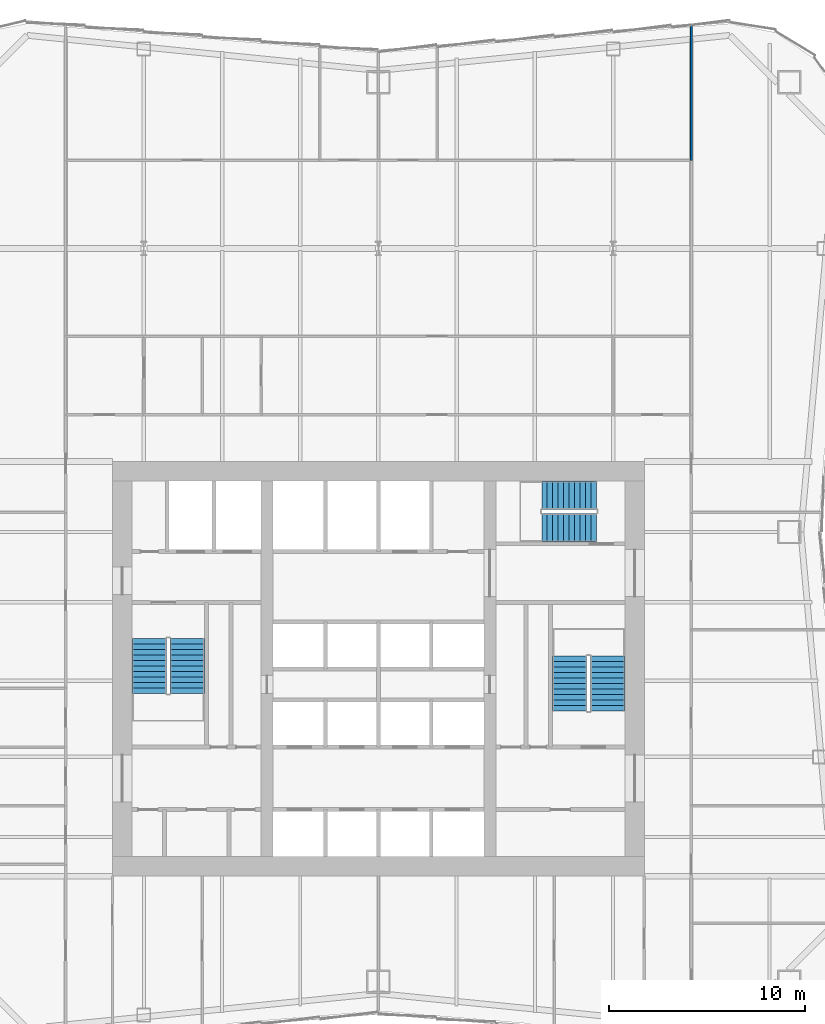
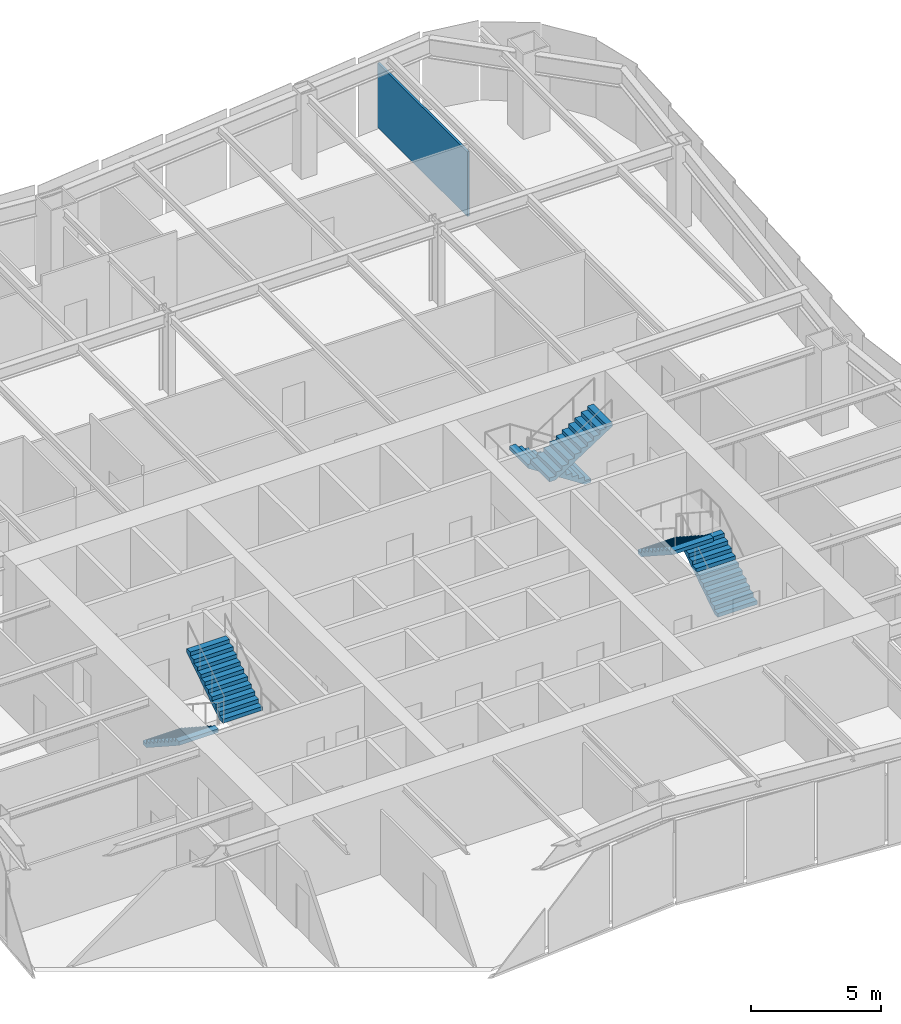
# One storey, part 7 of 8: 6 stair flights, 1 wall, 3 elements without a shape of their own.
"""IFC4 building model written with IfcOpenShell, lengths in metres."""

from ifc_helpers import new_model, si_unit, direction, frame, frame_2d, origin, place, context, subcontext, project, spatial, polyline, rectangle, outline, extrude, material, layer, layer_set, type_object, element, aggregate, save


model = new_model("IFC4")

# Units and contexts
model_context = context("Model", 3, precision=1e-05, world=origin(), true_north=direction((0.0, 1.0)))
body_context = subcontext(model_context, "Body", "Model", "MODEL_VIEW")
ifc_project = project(units=[si_unit("LENGTHUNIT", "METRE"), si_unit("AREAUNIT", "SQUARE_METRE"), si_unit("VOLUMEUNIT", "CUBIC_METRE"), si_unit("PLANEANGLEUNIT", "RADIAN"), si_unit("MASSUNIT", "GRAM", prefix="KILO")], contexts=[model_context])

# Site, building, storey
site_placement = place(None, origin())
site = spatial("IfcSite", under=ifc_project, at=site_placement, CompositionType="ELEMENT")
building_placement = place(site_placement, origin())
building = spatial("IfcBuilding", under=site, at=building_placement, Name="Verdant Reach Tower", CompositionType="ELEMENT")
storey_placement = place(building_placement, frame((0.0, 0.0, 134.0)))
storey = spatial("IfcBuildingStorey", under=building, at=storey_placement, Name="L30", CompositionType="ELEMENT", Elevation=134.0)

# Wall
ifc_material_1 = material(Name="Gypsum board on steel studs", Category="steel")
ifc_layer = layer(ifc_material_1, 0.10009765625)
ifc_layer_set = layer_set([ifc_layer], Name="FL-W1 Partition 100")
wall_type = type_object("IfcWallType", Name="FL-W1 Partition 100", PredefinedType="PARTITIONING", material=ifc_layer_set)
wall_placement = place(storey_placement, frame((16.0, 60.913330078125, 0.0), z_axis=(0.0, 0.0, 1.0), x_axis=(0.0, -1.0, 0.0)))
element("IfcWall", 1, at=wall_placement, inside=storey, type_object=wall_type, Name="Partition 30.33", PredefinedType="PARTITIONING", context=body_context, shape_type="SweptSolid", body=[
    extrude(rectangle(XDim=6.913330078125, YDim=0.10009765625, at=frame_2d((3.45654296875, 0.0))), origin(), (0.0, 0.0, 1.0), 3.0400390625),
])

# Stair, stair flights
ifc_material_2 = material(Name="Concrete C40/50", Category="concrete")
stair_type = type_object("IfcStairType", Name="CO-STAIR", PredefinedType="HALF_TURN_STAIR", material=ifc_material_2)
stair_1_placement = place(storey_placement, origin())
stair_1 = element("IfcStair", 2, at=stair_1_placement, inside=storey, type_object=stair_type, Name="L30 Exit stair 1", PredefinedType="HALF_TURN_STAIR")
stair_flight_type = type_object("IfcStairFlightType", Name="CO-STAIR-FLIGHT", PredefinedType="STRAIGHT", material=ifc_material_2)
stair_flight_1_placement = place(storey_placement, frame((-11.72509765625, 29.550048828125, 0.0), z_axis=(0.0, 0.0, 1.0), x_axis=(0.0, -1.0, 0.0)))
stair_flight_1 = element("IfcStairFlight", 3, at=stair_flight_1_placement, type_object=stair_flight_type, Name="ST-1 flight 1", NumberOfRisers=11, NumberOfTreads=10, PredefinedType="STRAIGHT", RiserHeight=0.181818182, TreadLength=0.28, context=body_context, shape_type="SweptSolid", body=[
    extrude(outline(polyline([(0.0, 0.0), (0.0, 0.181884765625), (0.280029296875, 0.181884765625), (0.280029296875, 0.363525390625), (0.56005859375, 0.363525390625), (0.56005859375, 0.54541015625), (0.840087890625, 0.54541015625), (0.840087890625, 0.727294921875), (1.1201171875, 0.727294921875), (1.1201171875, 0.9091796875), (1.39990234375, 0.9091796875), (1.39990234375, 1.0908203125), (1.679931640625, 1.0908203125), (1.679931640625, 1.272705078125), (1.9599609375, 1.272705078125), (1.9599609375, 1.45458984375), (2.239990234375, 1.45458984375), (2.239990234375, 1.636474609375), (2.52001953125, 1.636474609375), (2.52001953125, 1.818115234375), (2.800048828125, 1.818115234375), (2.800048828125, 2.0), (2.800048828125, 1.639404296875), (0.275146484375, 0.0), (0.0, 0.0)])), frame((0.0, 0.875, 0.0), z_axis=(0.0, -1.0, 0.0), x_axis=(1.0, 0.0, 0.0)), (0.0, 0.0, 1.0), 1.75),
])
stair_flight_2_placement = place(storey_placement, frame((-9.77490234375, 26.75, 2.0), z_axis=(0.0, 0.0, 1.0), x_axis=(0.0, 1.0, 0.0)))
stair_flight_2 = element("IfcStairFlight", 4, at=stair_flight_2_placement, type_object=stair_flight_type, Name="ST-1 flight 2", NumberOfRisers=11, NumberOfTreads=10, PredefinedType="STRAIGHT", RiserHeight=0.181818182, TreadLength=0.28, context=body_context, shape_type="SweptSolid", body=[
    extrude(outline(polyline([(0.0, 0.0), (0.0, 0.181884765625), (0.280029296875, 0.181884765625), (0.280029296875, 0.363525390625), (0.56005859375, 0.363525390625), (0.56005859375, 0.54541015625), (0.840087890625, 0.54541015625), (0.840087890625, 0.727294921875), (1.1201171875, 0.727294921875), (1.1201171875, 0.9091796875), (1.39990234375, 0.9091796875), (1.39990234375, 1.0908203125), (1.679931640625, 1.0908203125), (1.679931640625, 1.272705078125), (1.9599609375, 1.272705078125), (1.9599609375, 1.45458984375), (2.239990234375, 1.45458984375), (2.239990234375, 1.636474609375), (2.52001953125, 1.636474609375), (2.52001953125, 1.818115234375), (2.800048828125, 1.818115234375), (2.800048828125, 2.0), (2.800048828125, 1.639404296875), (0.275146484375, 0.0), (0.0, 0.0)])), frame((0.0, 0.875, 0.0), z_axis=(0.0, -1.0, 0.0), x_axis=(1.0, 0.0, 0.0)), (0.0, 0.0, 1.0), 1.75),
])
aggregate(stair_1, [stair_flight_1, stair_flight_2])

stair_2_placement = place(storey_placement, origin())
stair_2 = element("IfcStair", 5, at=stair_2_placement, inside=storey, type_object=stair_type, Name="L30 Exit stair 2", PredefinedType="HALF_TURN_STAIR")
stair_flight_3_placement = place(storey_placement, frame((11.72509765625, 25.85009765625, 0.0), z_axis=(0.0, 0.0, 1.0), x_axis=(0.0, 1.0, 0.0)))
stair_flight_3 = element("IfcStairFlight", 6, at=stair_flight_3_placement, type_object=stair_flight_type, Name="ST-2 flight 1", NumberOfRisers=11, NumberOfTreads=10, PredefinedType="STRAIGHT", RiserHeight=0.181818182, TreadLength=0.28, context=body_context, shape_type="SweptSolid", body=[
    extrude(outline(polyline([(0.0, 0.0), (0.0, 0.181884765625), (0.280029296875, 0.181884765625), (0.280029296875, 0.363525390625), (0.56005859375, 0.363525390625), (0.56005859375, 0.54541015625), (0.840087890625, 0.54541015625), (0.840087890625, 0.727294921875), (1.1201171875, 0.727294921875), (1.1201171875, 0.9091796875), (1.39990234375, 0.9091796875), (1.39990234375, 1.0908203125), (1.679931640625, 1.0908203125), (1.679931640625, 1.272705078125), (1.9599609375, 1.272705078125), (1.9599609375, 1.45458984375), (2.239990234375, 1.45458984375), (2.239990234375, 1.636474609375), (2.52001953125, 1.636474609375), (2.52001953125, 1.818115234375), (2.800048828125, 1.818115234375), (2.800048828125, 2.0), (2.800048828125, 1.639404296875), (0.275146484375, 0.0), (0.0, 0.0)])), frame((0.0, 0.875, 0.0), z_axis=(0.0, -1.0, 0.0), x_axis=(1.0, 0.0, 0.0)), (0.0, 0.0, 1.0), 1.75),
])
stair_flight_4_placement = place(storey_placement, frame((9.77490234375, 28.64990234375, 2.0), z_axis=(0.0, 0.0, 1.0), x_axis=(0.0, -1.0, 0.0)))
stair_flight_4 = element("IfcStairFlight", 7, at=stair_flight_4_placement, type_object=stair_flight_type, Name="ST-2 flight 2", NumberOfRisers=11, NumberOfTreads=10, PredefinedType="STRAIGHT", RiserHeight=0.181818182, TreadLength=0.28, context=body_context, shape_type="SweptSolid", body=[
    extrude(outline(polyline([(0.0, 0.0), (0.0, 0.181884765625), (0.280029296875, 0.181884765625), (0.280029296875, 0.363525390625), (0.56005859375, 0.363525390625), (0.56005859375, 0.54541015625), (0.840087890625, 0.54541015625), (0.840087890625, 0.727294921875), (1.1201171875, 0.727294921875), (1.1201171875, 0.9091796875), (1.39990234375, 0.9091796875), (1.39990234375, 1.0908203125), (1.679931640625, 1.0908203125), (1.679931640625, 1.272705078125), (1.9599609375, 1.272705078125), (1.9599609375, 1.45458984375), (2.239990234375, 1.45458984375), (2.239990234375, 1.636474609375), (2.52001953125, 1.636474609375), (2.52001953125, 1.818115234375), (2.800048828125, 1.818115234375), (2.800048828125, 2.0), (2.800048828125, 1.639404296875), (0.275146484375, 0.0), (0.0, 0.0)])), frame((0.0, 0.875, 0.0), z_axis=(0.0, -1.0, 0.0), x_axis=(1.0, 0.0, 0.0)), (0.0, 0.0, 1.0), 1.75),
])
aggregate(stair_2, [stair_flight_3, stair_flight_4])

stair_3_placement = place(storey_placement, origin())
stair_3 = element("IfcStair", 8, at=stair_3_placement, inside=storey, type_object=stair_type, Name="L30 Exit stair 3", PredefinedType="HALF_TURN_STAIR")
stair_flight_5_placement = place(storey_placement, frame((11.14990234375, 36.875, 0.0), z_axis=(0.0, 0.0, 1.0), x_axis=(-1.0, 0.0, 0.0)))
stair_flight_5 = element("IfcStairFlight", 9, at=stair_flight_5_placement, type_object=stair_flight_type, Name="ST-3 flight 1", NumberOfRisers=11, NumberOfTreads=10, PredefinedType="STRAIGHT", RiserHeight=0.181818182, TreadLength=0.28, context=body_context, shape_type="SweptSolid", body=[
    extrude(outline(polyline([(0.0, 0.0), (0.0, 0.181884765625), (0.280029296875, 0.181884765625), (0.280029296875, 0.363525390625), (0.56005859375, 0.363525390625), (0.56005859375, 0.54541015625), (0.840087890625, 0.54541015625), (0.840087890625, 0.727294921875), (1.1201171875, 0.727294921875), (1.1201171875, 0.9091796875), (1.39990234375, 0.9091796875), (1.39990234375, 1.0908203125), (1.679931640625, 1.0908203125), (1.679931640625, 1.272705078125), (1.9599609375, 1.272705078125), (1.9599609375, 1.45458984375), (2.239990234375, 1.45458984375), (2.239990234375, 1.636474609375), (2.52001953125, 1.636474609375), (2.52001953125, 1.818115234375), (2.800048828125, 1.818115234375), (2.800048828125, 2.0), (2.800048828125, 1.639404296875), (0.275146484375, 0.0), (0.0, 0.0)])), frame((0.0, 0.72509765625, 0.0), z_axis=(0.0, -1.0, 0.0), x_axis=(1.0, 0.0, 0.0)), (0.0, 0.0, 1.0), 1.449951171875),
])
stair_flight_6_placement = place(storey_placement, frame((8.35009765625, 35.22509765625, 2.0), z_axis=(0.0, 0.0, 1.0), x_axis=(1.0, 0.0, 0.0)))
stair_flight_6 = element("IfcStairFlight", 10, at=stair_flight_6_placement, type_object=stair_flight_type, Name="ST-3 flight 2", NumberOfRisers=11, NumberOfTreads=10, PredefinedType="STRAIGHT", RiserHeight=0.181818182, TreadLength=0.28, context=body_context, shape_type="SweptSolid", body=[
    extrude(outline(polyline([(0.0, 0.0), (0.0, 0.181884765625), (0.280029296875, 0.181884765625), (0.280029296875, 0.363525390625), (0.56005859375, 0.363525390625), (0.56005859375, 0.54541015625), (0.840087890625, 0.54541015625), (0.840087890625, 0.727294921875), (1.1201171875, 0.727294921875), (1.1201171875, 0.9091796875), (1.39990234375, 0.9091796875), (1.39990234375, 1.0908203125), (1.679931640625, 1.0908203125), (1.679931640625, 1.272705078125), (1.9599609375, 1.272705078125), (1.9599609375, 1.45458984375), (2.239990234375, 1.45458984375), (2.239990234375, 1.636474609375), (2.52001953125, 1.636474609375), (2.52001953125, 1.818115234375), (2.800048828125, 1.818115234375), (2.800048828125, 2.0), (2.800048828125, 1.639404296875), (0.275146484375, 0.0), (0.0, 0.0)])), frame((0.0, 0.72509765625, 0.0), z_axis=(0.0, -1.0, 0.0), x_axis=(1.0, 0.0, 0.0)), (0.0, 0.0, 1.0), 1.449951171875),
])
aggregate(stair_3, [stair_flight_5, stair_flight_6])

save(model, "model.ifc")
